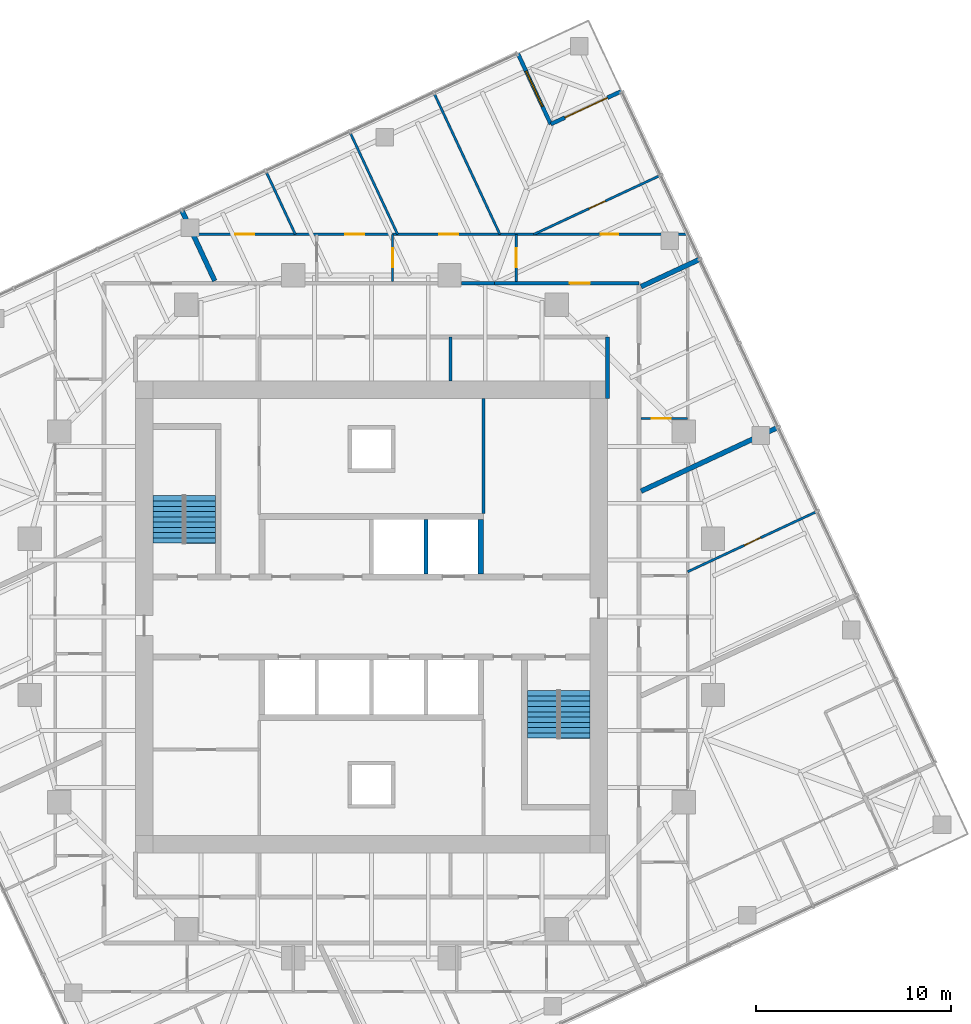
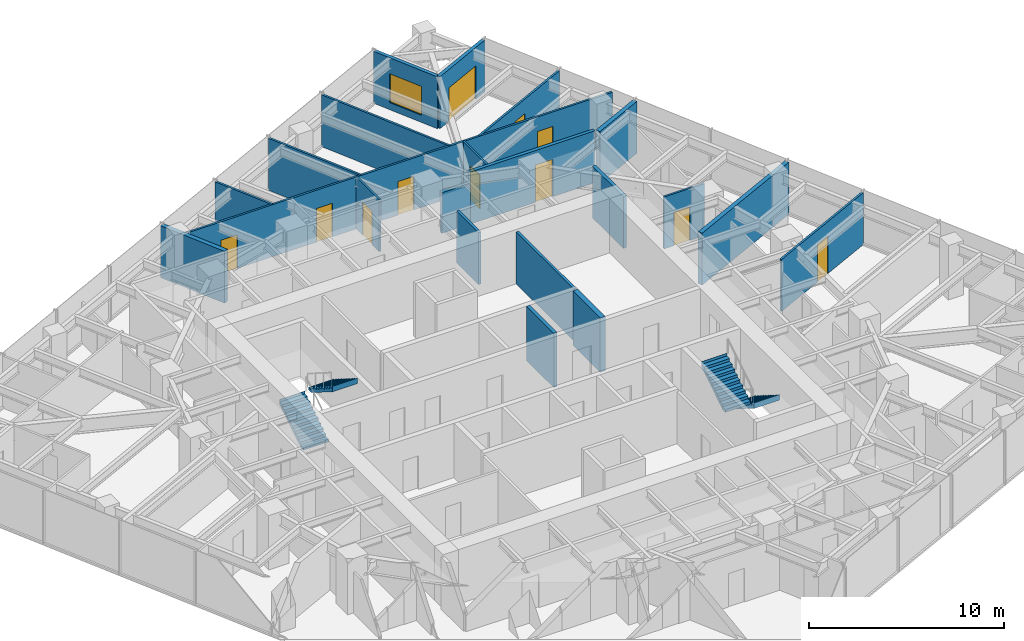
# One storey, part 11 of 12: 21 walls, 11 doors, 4 stair flights, 1 window, 12 openings, 2 elements without a shape of their own.
"""IFC4 building model written with IfcOpenShell, lengths in metres."""

from ifc_helpers import new_model, si_unit, direction, frame, frame_2d, origin, place, context, subcontext, project, spatial, polyline, rectangle, outline, extrude, material, layer, layer_set, type_object, element, fill, aggregate, save


model = new_model("IFC4")

# Units and contexts
model_context = context("Model", 3, precision=1e-05, world=origin(), true_north=direction((0.0, 1.0)))
body_context = subcontext(model_context, "Body", "Model", "MODEL_VIEW")
ifc_project = project(units=[si_unit("LENGTHUNIT", "METRE"), si_unit("AREAUNIT", "SQUARE_METRE"), si_unit("VOLUMEUNIT", "CUBIC_METRE"), si_unit("PLANEANGLEUNIT", "RADIAN"), si_unit("MASSUNIT", "GRAM", prefix="KILO")], contexts=[model_context])

# Site, building, storey
site_placement = place(None, origin())
site = spatial("IfcSite", under=ifc_project, at=site_placement, CompositionType="ELEMENT")
building_placement = place(site_placement, origin())
building = spatial("IfcBuilding", under=site, at=building_placement, Name="Torsade Residences", CompositionType="ELEMENT")
storey_placement = place(building_placement, frame((0.0, 0.0, 189.60009765625)))
storey = spatial("IfcBuildingStorey", under=building, at=storey_placement, Name="L52", CompositionType="ELEMENT", Elevation=189.60009765625)

# Wall
ifc_material_1 = material(Name="Concrete 80 MPa", Category="concrete")
ifc_layer_1 = layer(ifc_material_1, 0.300048828125)
ifc_layer_set_1 = layer_set([ifc_layer_1], Name="Concrete 80 MPa")
wall_type_1 = type_object("IfcWallType", Name="CORE INTERNAL WALL 300", PredefinedType="SHEAR", material=ifc_layer_set_1)
wall_1_placement = place(storey_placement, frame((45.60009765625, 32.199951171875, 0.0), z_axis=(0.0, 0.0, 1.0), x_axis=(0.0, 1.0, 0.0)))
element("IfcWall", 1, at=wall_1_placement, inside=storey, type_object=wall_type_1, Name="Core wall DN4 L52", PredefinedType="SHEAR", context=body_context, shape_type="SweptSolid", body=[
    extrude(rectangle(XDim=2.800048828125, YDim=0.300048828125, at=frame_2d((1.39990234375, 0.0))), origin(), (0.0, 0.0, 1.0), 3.39990234375),
])

# Wall, opening, door
ifc_material_2 = material(Name="Plasterboard on steel stud", Category="steel")
ifc_layer_2 = layer(ifc_material_2, 0.199951171875)
ifc_layer_set_2 = layer_set([ifc_layer_2], Name="Plasterboard on steel stud")
wall_type_2 = type_object("IfcWallType", Name="CORRIDOR WALL 200", PredefinedType="PARTITIONING", material=ifc_layer_set_2)
wall_2_placement = place(storey_placement, frame((53.699951171875, 47.10009765625, 0.0), z_axis=(0.0, 0.0, 1.0), x_axis=(-1.0, 0.0, 0.0)))
wall_2 = element("IfcWall", 2, at=wall_2_placement, inside=storey, type_object=wall_type_2, Name="Corridor wall L52", PredefinedType="PARTITIONING", context=body_context, shape_type="SweptSolid", body=[
    extrude(rectangle(XDim=7.3916015625, YDim=0.199951171875, at=frame_2d((3.69580078125, 0.0))), origin(), (0.0, 0.0, 1.0), 3.25),
])
opening_1_placement = place(wall_2_placement, frame((2.505859375, 0.0, 0.0)))
opening_1 = element("IfcOpeningElement", 3, at=opening_1_placement, cuts=wall_2, Name="Opening D01", PredefinedType="OPENING", context=body_context, shape_type="SweptSolid", body=[
    extrude(rectangle(XDim=1.02001953125, YDim=2.340087890625, at=frame_2d((0.510009765625, 1.169921875))), frame((0.0, 0.10986328125, 0.0), z_axis=(0.0, -1.0, 0.0), x_axis=(1.0, 0.0, 0.0)), (0.0, 0.0, 1.0), 0.219970703125),
])
ifc_material_3 = material(Name="Solid-core timber fire door", Category="wood")
door_type_1 = type_object("IfcDoorType", Name="APARTMENT ENTRY DOOR 1020x2340", OperationType="NOTDEFINED", PredefinedType="DOOR", material=ifc_material_3)
door_1_placement = place(opening_1_placement, origin())
door_1 = element("IfcDoor", 4, at=door_1_placement, inside=storey, type_object=door_type_1, Name="Door Residential corridor to Kitchen and dining", OperationType="SINGLE_SWING_LEFT", OverallHeight=2.340087890625, OverallWidth=1.02001953125, PredefinedType="DOOR", context=body_context, shape_type="SweptSolid", body=[
    extrude(rectangle(XDim=1.02001953125, YDim=2.340087890625, at=frame_2d((0.510009765625, 1.169921875))), frame((0.0, 0.02490234375, 0.0), z_axis=(0.0, -1.0, 0.0), x_axis=(1.0, 0.0, 0.0)), (0.0, 0.0, 1.0), 0.050048828125),
])
fill(opening_1, door_1)

# Walls
wall_3_placement = place(storey_placement, frame((46.308349609375, 47.10009765625, 0.0), z_axis=(0.0, 0.0, 1.0), x_axis=(-1.0, 0.0, 0.0)))
element("IfcWall", 5, at=wall_3_placement, inside=storey, type_object=wall_type_2, Name="Corridor wall L52", PredefinedType="PARTITIONING", context=body_context, shape_type="SweptSolid", body=[
    extrude(rectangle(XDim=1.683349609375, YDim=0.199951171875, at=frame_2d((0.841796875, 0.0))), origin(), (0.0, 0.0, 1.0), 2.5498046875),
])
wall_4_placement = place(storey_placement, frame((52.10009765625, 41.179931640625, 0.0), z_axis=(0.0, 0.0, 1.0), x_axis=(0.0, 1.0, 0.0)))
element("IfcWall", 6, at=wall_4_placement, inside=storey, type_object=wall_type_2, Name="Corridor wall L52", PredefinedType="PARTITIONING", context=body_context, shape_type="SweptSolid", body=[
    extrude(rectangle(XDim=3.170166015625, YDim=0.199951171875, at=frame_2d((1.5849609375, 0.0))), origin(), (0.0, 0.0, 1.0), 3.25),
])
ifc_material_4 = material(Name="Reinforced blockwork", Category="masonry")
ifc_layer_3 = layer(ifc_material_4, 0.199951171875)
ifc_layer_set_3 = layer_set([ifc_layer_3], Name="Reinforced blockwork")
wall_type_3 = type_object("IfcWallType", Name="LIFT SHAFT DIVIDING WALL 200", PredefinedType="SOLIDWALL", material=ifc_layer_set_3)
wall_5_placement = place(storey_placement, frame((42.800048828125, 32.199951171875, 0.0), z_axis=(0.0, 0.0, 1.0), x_axis=(0.0, 1.0, 0.0)))
element("IfcWall", 7, at=wall_5_placement, inside=storey, type_object=wall_type_3, Name="Core wall DN3 L52", PredefinedType="SOLIDWALL", context=body_context, shape_type="SweptSolid", body=[
    extrude(rectangle(XDim=2.800048828125, YDim=0.199951171875, at=frame_2d((1.39990234375, 0.0))), origin(), (0.0, 0.0, 1.0), 3.39990234375),
])

# Wall, opening, door
ifc_material_5 = material(Name="Plasterboard on steel stud", Category="steel")
ifc_layer_4 = layer(ifc_material_5, 0.1201171875)
ifc_layer_set_4 = layer_set([ifc_layer_4], Name="Plasterboard on steel stud")
wall_type_4 = type_object("IfcWallType", Name="PARTITION 120", PredefinedType="PARTITIONING", material=ifc_layer_set_4)
wall_6_placement = place(storey_placement, frame((56.199951171875, 32.313232421875, 0.0), z_axis=(0.0, 0.0, 1.0), x_axis=(0.906306986906, 0.422619977621, 0.0)))
wall_6 = element("IfcWall", 8, at=wall_6_placement, inside=storey, type_object=wall_type_4, Name="Partition L52", PredefinedType="PARTITIONING", context=body_context, shape_type="SweptSolid", body=[
    extrude(rectangle(XDim=7.30029296875, YDim=0.1201171875, at=frame_2d((3.650146484375, 0.0))), origin(), (0.0, 0.0, 1.0), 3.25),
])
opening_2_placement = place(wall_6_placement, frame((3.210205078125, 0.0, 0.0)))
opening_2 = element("IfcOpeningElement", 9, at=opening_2_placement, cuts=wall_6, Name="Opening D02", PredefinedType="OPENING", context=body_context, shape_type="SweptSolid", body=[
    extrude(rectangle(XDim=0.919921875, YDim=2.340087890625, at=frame_2d((0.4599609375, 1.169921875))), frame((0.0, 0.070068359375, 0.0), z_axis=(0.0, -1.0, 0.0), x_axis=(1.0, 0.0, 0.0)), (0.0, 0.0, 1.0), 0.14013671875),
])
ifc_material_6 = material(Name="Hollow-core timber door", Category="wood")
door_type_2 = type_object("IfcDoorType", Name="INTERNAL DOOR 920x2340", OperationType="NOTDEFINED", PredefinedType="DOOR", material=ifc_material_6)
door_2_placement = place(opening_2_placement, origin())
door_2 = element("IfcDoor", 10, at=door_2_placement, inside=storey, type_object=door_type_2, Name="Door Living room to Bedroom 1", OperationType="SINGLE_SWING_LEFT", OverallHeight=2.340087890625, OverallWidth=0.919921875, PredefinedType="DOOR", context=body_context, shape_type="SweptSolid", body=[
    extrude(rectangle(XDim=0.919921875, YDim=2.340087890625, at=frame_2d((0.4599609375, 1.169921875))), frame((0.0, 0.02490234375, 0.0), z_axis=(0.0, -1.0, 0.0), x_axis=(1.0, 0.0, 0.0)), (0.0, 0.0, 1.0), 0.050048828125),
])
fill(opening_2, door_2)

wall_7_placement = place(storey_placement, frame((56.199951171875, 40.166748046875, 0.0), z_axis=(0.0, 0.0, 1.0), x_axis=(-1.0, 0.0, 0.0)))
wall_7 = element("IfcWall", 11, at=wall_7_placement, inside=storey, type_object=wall_type_4, Name="Partition L52", PredefinedType="PARTITIONING", context=body_context, shape_type="SweptSolid", body=[
    extrude(rectangle(XDim=2.39990234375, YDim=0.1201171875, at=frame_2d((1.199951171875, 0.0))), origin(), (0.0, 0.0, 1.0), 3.25),
])
opening_3_placement = place(wall_7_placement, frame((0.8701171875, 0.0, 0.0)))
opening_3 = element("IfcOpeningElement", 12, at=opening_3_placement, cuts=wall_7, Name="Opening D05", PredefinedType="OPENING", context=body_context, shape_type="SweptSolid", body=[
    extrude(rectangle(XDim=0.9599609375, YDim=2.10009765625, at=frame_2d((0.47998046875, 1.050048828125))), frame((0.0, 0.070068359375, 0.0), z_axis=(0.0, -1.0, 0.0), x_axis=(1.0, 0.0, 0.0)), (0.0, 0.0, 1.0), 0.14013671875),
])
ifc_material_7 = material(Name="Hollow-core timber door in a steel cavity frame", Category="steel")
door_type_3 = type_object("IfcDoorType", Name="BATHROOM CAVITY SLIDING DOOR 960", OperationType="SLIDING_TO_LEFT", PredefinedType="DOOR", material=ifc_material_7)
door_3_placement = place(opening_3_placement, origin())
door_3 = element("IfcDoor", 13, at=door_3_placement, inside=storey, type_object=door_type_3, Name="Door Kitchen and dining to Bathroom", OperationType="SLIDING_TO_LEFT", OverallHeight=2.10009765625, OverallWidth=0.9599609375, PredefinedType="DOOR", context=body_context, shape_type="SweptSolid", body=[
    extrude(rectangle(XDim=0.9599609375, YDim=2.10009765625, at=frame_2d((0.47998046875, 1.050048828125))), frame((0.0, 0.02490234375, 0.0), z_axis=(0.0, -1.0, 0.0), x_axis=(1.0, 0.0, 0.0)), (0.0, 0.0, 1.0), 0.050048828125),
])
fill(opening_3, door_3)

wall_8_placement = place(storey_placement, frame((47.418212890625, 47.199951171875, 0.0), z_axis=(0.0, 0.0, 1.0), x_axis=(0.0, 1.0, 0.0)))
wall_8 = element("IfcWall", 14, at=wall_8_placement, inside=storey, type_object=wall_type_4, Name="Partition L52", PredefinedType="PARTITIONING", context=body_context, shape_type="SweptSolid", body=[
    extrude(rectangle(XDim=2.400146484375, YDim=0.1201171875, at=frame_2d((1.2001953125, 0.0))), origin(), (0.0, 0.0, 1.0), 3.25),
])
opening_4_placement = place(wall_8_placement, frame((0.719970703125, 0.0, 0.0)))
opening_4 = element("IfcOpeningElement", 15, at=opening_4_placement, cuts=wall_8, Name="Opening D05", PredefinedType="OPENING", context=body_context, shape_type="SweptSolid", body=[
    extrude(rectangle(XDim=0.9599609375, YDim=2.10009765625, at=frame_2d((0.47998046875, 1.050048828125))), frame((0.0, 0.070068359375, 0.0), z_axis=(0.0, -1.0, 0.0), x_axis=(1.0, 0.0, 0.0)), (0.0, 0.0, 1.0), 0.14013671875),
])
door_4_placement = place(opening_4_placement, origin())
door_4 = element("IfcDoor", 16, at=door_4_placement, inside=storey, type_object=door_type_3, Name="Door Kitchen and dining to Bathroom", OperationType="SLIDING_TO_LEFT", OverallHeight=2.10009765625, OverallWidth=0.9599609375, PredefinedType="DOOR", context=body_context, shape_type="SweptSolid", body=[
    extrude(rectangle(XDim=0.9599609375, YDim=2.10009765625, at=frame_2d((0.47998046875, 1.050048828125))), frame((0.0, 0.02490234375, 0.0), z_axis=(0.0, -1.0, 0.0), x_axis=(1.0, 0.0, 0.0)), (0.0, 0.0, 1.0), 0.050048828125),
])
fill(opening_4, door_4)

# Wall, openings, doors
wall_9_placement = place(storey_placement, frame((30.8603515625, 49.60009765625, 0.0), z_axis=(0.0, 0.0, 1.0), x_axis=(1.0, 0.0, 0.0)))
wall_9 = element("IfcWall", 17, at=wall_9_placement, inside=storey, type_object=wall_type_4, Name="Partition L52", PredefinedType="PARTITIONING", context=body_context, shape_type="SweptSolid", body=[
    extrude(rectangle(XDim=25.33349609375, YDim=0.1201171875, at=frame_2d((12.666748046875, 0.0))), origin(), (0.0, 0.0, 1.0), 3.25),
])
opening_5_placement = place(wall_9_placement, frame((20.87744140625, 0.0, 0.0)))
opening_5 = element("IfcOpeningElement", 18, at=opening_5_placement, cuts=wall_9, Name="Opening D02", PredefinedType="OPENING", context=body_context, shape_type="SweptSolid", body=[
    extrude(rectangle(XDim=0.919921875, YDim=2.340087890625, at=frame_2d((0.4599609375, 1.169921875))), frame((0.0, 0.070068359375, 0.0), z_axis=(0.0, -1.0, 0.0), x_axis=(1.0, 0.0, 0.0)), (0.0, 0.0, 1.0), 0.14013671875),
])
opening_6_placement = place(wall_9_placement, frame((12.62255859375, 0.0, 0.0)))
opening_6 = element("IfcOpeningElement", 19, at=opening_6_placement, cuts=wall_9, Name="Opening D05", PredefinedType="OPENING", context=body_context, shape_type="SweptSolid", body=[
    extrude(rectangle(XDim=0.9599609375, YDim=2.10009765625, at=frame_2d((0.47998046875, 1.050048828125))), frame((0.0, 0.070068359375, 0.0), z_axis=(0.0, -1.0, 0.0), x_axis=(1.0, 0.0, 0.0)), (0.0, 0.0, 1.0), 0.14013671875),
])
opening_7_placement = place(wall_9_placement, frame((7.80224609375, 0.0, 0.0)))
opening_7 = element("IfcOpeningElement", 20, at=opening_7_placement, cuts=wall_9, Name="Opening D05", PredefinedType="OPENING", context=body_context, shape_type="SweptSolid", body=[
    extrude(rectangle(XDim=0.9599609375, YDim=2.10009765625, at=frame_2d((0.47998046875, 1.050048828125))), frame((0.0, 0.070068359375, 0.0), z_axis=(0.0, -1.0, 0.0), x_axis=(1.0, 0.0, 0.0)), (0.0, 0.0, 1.0), 0.14013671875),
])
opening_8_placement = place(wall_9_placement, frame((2.168212890625, 0.0, 0.0)))
opening_8 = element("IfcOpeningElement", 21, at=opening_8_placement, cuts=wall_9, Name="Opening D05", PredefinedType="OPENING", context=body_context, shape_type="SweptSolid", body=[
    extrude(rectangle(XDim=0.9599609375, YDim=2.10009765625, at=frame_2d((0.47998046875, 1.050048828125))), frame((0.0, 0.070068359375, 0.0), z_axis=(0.0, -1.0, 0.0), x_axis=(1.0, 0.0, 0.0)), (0.0, 0.0, 1.0), 0.14013671875),
])
door_5_placement = place(opening_6_placement, origin())
door_5 = element("IfcDoor", 22, at=door_5_placement, inside=storey, type_object=door_type_3, Name="Door Bathroom to Bedroom 1", OperationType="SLIDING_TO_LEFT", OverallHeight=2.10009765625, OverallWidth=0.9599609375, PredefinedType="DOOR", context=body_context, shape_type="SweptSolid", body=[
    extrude(rectangle(XDim=0.9599609375, YDim=2.10009765625, at=frame_2d((0.47998046875, 1.050048828125))), frame((0.0, 0.02490234375, 0.0), z_axis=(0.0, -1.0, 0.0), x_axis=(1.0, 0.0, 0.0)), (0.0, 0.0, 1.0), 0.050048828125),
])
fill(opening_6, door_5)
door_6_placement = place(opening_7_placement, origin())
door_6 = element("IfcDoor", 23, at=door_6_placement, inside=storey, type_object=door_type_3, Name="Door Laundry to Bedroom 2", OperationType="SLIDING_TO_LEFT", OverallHeight=2.10009765625, OverallWidth=0.9599609375, PredefinedType="DOOR", context=body_context, shape_type="SweptSolid", body=[
    extrude(rectangle(XDim=0.9599609375, YDim=2.10009765625, at=frame_2d((0.47998046875, 1.050048828125))), frame((0.0, 0.02490234375, 0.0), z_axis=(0.0, -1.0, 0.0), x_axis=(1.0, 0.0, 0.0)), (0.0, 0.0, 1.0), 0.050048828125),
])
fill(opening_7, door_6)
door_7_placement = place(opening_8_placement, origin())
door_7 = element("IfcDoor", 24, at=door_7_placement, inside=storey, type_object=door_type_3, Name="Door Ensuite to Study", OperationType="SLIDING_TO_LEFT", OverallHeight=2.10009765625, OverallWidth=0.9599609375, PredefinedType="DOOR", context=body_context, shape_type="SweptSolid", body=[
    extrude(rectangle(XDim=0.9599609375, YDim=2.10009765625, at=frame_2d((0.47998046875, 1.050048828125))), frame((0.0, 0.02490234375, 0.0), z_axis=(0.0, -1.0, 0.0), x_axis=(1.0, 0.0, 0.0)), (0.0, 0.0, 1.0), 0.050048828125),
])
fill(opening_8, door_7)
door_8_placement = place(opening_5_placement, origin())
door_8 = element("IfcDoor", 25, at=door_8_placement, inside=storey, type_object=door_type_2, Name="Door Kitchen and dining to Bedroom 3", OperationType="SINGLE_SWING_LEFT", OverallHeight=2.340087890625, OverallWidth=0.919921875, PredefinedType="DOOR", context=body_context, shape_type="SweptSolid", body=[
    extrude(rectangle(XDim=0.919921875, YDim=2.340087890625, at=frame_2d((0.4599609375, 1.169921875))), frame((0.0, 0.02490234375, 0.0), z_axis=(0.0, -1.0, 0.0), x_axis=(1.0, 0.0, 0.0)), (0.0, 0.0, 1.0), 0.050048828125),
])
fill(opening_5, door_8)

# Wall, opening, door
wall_10_placement = place(storey_placement, frame((41.08154296875, 47.199951171875, 0.0), z_axis=(0.0, 0.0, 1.0), x_axis=(0.0, 1.0, 0.0)))
wall_10 = element("IfcWall", 26, at=wall_10_placement, inside=storey, type_object=wall_type_4, Name="Partition L52", PredefinedType="PARTITIONING", context=body_context, shape_type="SweptSolid", body=[
    extrude(rectangle(XDim=2.400146484375, YDim=0.1201171875, at=frame_2d((1.2001953125, 0.0))), origin(), (0.0, 0.0, 1.0), 3.25),
])
opening_9_placement = place(wall_10_placement, frame((0.719970703125, 0.0, 0.0)))
opening_9 = element("IfcOpeningElement", 27, at=opening_9_placement, cuts=wall_10, Name="Opening D05", PredefinedType="OPENING", context=body_context, shape_type="SweptSolid", body=[
    extrude(rectangle(XDim=0.9599609375, YDim=2.10009765625, at=frame_2d((0.47998046875, 1.050048828125))), frame((0.0, 0.070068359375, 0.0), z_axis=(0.0, -1.0, 0.0), x_axis=(1.0, 0.0, 0.0)), (0.0, 0.0, 1.0), 0.14013671875),
])
door_9_placement = place(opening_9_placement, origin())
door_9 = element("IfcDoor", 28, at=door_9_placement, inside=storey, type_object=door_type_3, Name="Door Bathroom to Laundry", OperationType="SLIDING_TO_LEFT", OverallHeight=2.10009765625, OverallWidth=0.9599609375, PredefinedType="DOOR", context=body_context, shape_type="SweptSolid", body=[
    extrude(rectangle(XDim=0.9599609375, YDim=2.10009765625, at=frame_2d((0.47998046875, 1.050048828125))), frame((0.0, 0.02490234375, 0.0), z_axis=(0.0, -1.0, 0.0), x_axis=(1.0, 0.0, 0.0)), (0.0, 0.0, 1.0), 0.050048828125),
])
fill(opening_9, door_9)

# Wall
wall_11_placement = place(storey_placement, frame((46.58349609375, 49.60009765625, 0.0), z_axis=(0.0, 0.0, 1.0), x_axis=(-0.422640876946, 0.90629724105, 0.0)))
element("IfcWall", 29, at=wall_11_placement, inside=storey, type_object=wall_type_4, Name="Partition L52", PredefinedType="PARTITIONING", context=body_context, shape_type="SweptSolid", body=[
    extrude(rectangle(XDim=7.978515625, YDim=0.1201171875, at=frame_2d((3.9892578125, 0.0))), origin(), (0.0, 0.0, 1.0), 3.25),
])

# Wall, opening, door
wall_12_placement = place(storey_placement, frame((54.78662109375, 52.6181640625, 0.0), z_axis=(0.0, 0.0, 1.0), x_axis=(-0.906317589158, -0.422597240388, 0.0)))
wall_12 = element("IfcWall", 30, at=wall_12_placement, inside=storey, type_object=wall_type_4, Name="Partition L52", PredefinedType="PARTITIONING", context=body_context, shape_type="SweptSolid", body=[
    extrude(rectangle(XDim=7.1416015625, YDim=0.1201171875, at=frame_2d((3.57080078125, 0.0))), origin(), (0.0, 0.0, 1.0), 3.25),
])
opening_10_placement = place(wall_12_placement, frame((3.0908203125, 0.0, 0.0)))
opening_10 = element("IfcOpeningElement", 31, at=opening_10_placement, cuts=wall_12, Name="Opening D02", PredefinedType="OPENING", context=body_context, shape_type="SweptSolid", body=[
    extrude(rectangle(XDim=0.919921875, YDim=2.340087890625, at=frame_2d((0.4599609375, 1.169921875))), frame((0.0, 0.070068359375, 0.0), z_axis=(0.0, -1.0, 0.0), x_axis=(1.0, 0.0, 0.0)), (0.0, 0.0, 1.0), 0.14013671875),
])
door_10_placement = place(opening_10_placement, origin())
door_10 = element("IfcDoor", 32, at=door_10_placement, inside=storey, type_object=door_type_2, Name="Door Bedroom 3 to Living room", OperationType="SINGLE_SWING_RIGHT", OverallHeight=2.340087890625, OverallWidth=0.919921875, PredefinedType="DOOR", context=body_context, shape_type="SweptSolid", body=[
    extrude(rectangle(XDim=0.919921875, YDim=2.340087890625, at=frame_2d((0.4599609375, 1.169921875))), frame((0.0, 0.02490234375, 0.0), z_axis=(0.0, -1.0, 0.0), x_axis=(1.0, 0.0, 0.0)), (0.0, 0.0, 1.0), 0.050048828125),
])
fill(opening_10, door_10)

# Walls
wall_13_placement = place(storey_placement, frame((41.342529296875, 49.60009765625, 0.0), z_axis=(0.0, 0.0, 1.0), x_axis=(-0.422648925879, 0.906293487483, 0.0)))
element("IfcWall", 33, at=wall_13_placement, inside=storey, type_object=wall_type_4, Name="Partition L52", PredefinedType="PARTITIONING", context=body_context, shape_type="SweptSolid", body=[
    extrude(rectangle(XDim=5.763671875, YDim=0.1201171875, at=frame_2d((2.8818359375, 0.0))), origin(), (0.0, 0.0, 1.0), 3.25),
])
wall_14_placement = place(storey_placement, frame((36.101318359375, 49.60009765625, 0.0), z_axis=(0.0, 0.0, 1.0), x_axis=(-0.42263686638, 0.906299111318, 0.0)))
element("IfcWall", 34, at=wall_14_placement, inside=storey, type_object=wall_type_4, Name="Partition L52", PredefinedType="PARTITIONING", context=body_context, shape_type="SweptSolid", body=[
    extrude(rectangle(XDim=3.548583984375, YDim=0.1201171875, at=frame_2d((1.7744140625, 0.0))), origin(), (0.0, 0.0, 1.0), 3.25),
])
ifc_material_8 = material(Name="Masonry-lined stud party wall", Category="masonry")
ifc_layer_5 = layer(ifc_material_8, 0.25)
ifc_layer_set_5 = layer_set([ifc_layer_5], Name="Masonry-lined stud party wall")
wall_type_5 = type_object("IfcWallType", Name="PARTY WALL 250", PredefinedType="PARTITIONING", material=ifc_layer_set_5)
wall_15_placement = place(storey_placement, frame((60.844970703125, 39.72021484375, 0.0), z_axis=(0.0, 0.0, 1.0), x_axis=(-0.906308569177, -0.422616584432, 0.0)))
element("IfcWall", 35, at=wall_15_placement, inside=storey, type_object=wall_type_5, Name="Party wall L52", PredefinedType="PARTITIONING", context=body_context, shape_type="SweptSolid", body=[
    extrude(rectangle(XDim=7.7548828125, YDim=0.25, at=frame_2d((3.87744140625, 0.0))), origin(), (0.0, 0.0, 1.0), 3.25),
])
wall_16_placement = place(storey_placement, frame((30.27978515625, 50.844970703125, 0.0), z_axis=(0.0, 0.0, 1.0), x_axis=(0.422605017068, -0.906313963011, 0.0)))
element("IfcWall", 36, at=wall_16_placement, inside=storey, type_object=wall_type_5, Name="Party wall L52", PredefinedType="PARTITIONING", context=body_context, shape_type="SweptSolid", body=[
    extrude(rectangle(XDim=4.00341796875, YDim=0.25, at=frame_2d((2.001708984375, 0.0))), origin(), (0.0, 0.0, 1.0), 3.25),
])
wall_17_placement = place(storey_placement, frame((56.830322265625, 48.330078125, 0.0), z_axis=(0.0, 0.0, 1.0), x_axis=(-0.906310647924, -0.422612126495, 0.0)))
element("IfcWall", 37, at=wall_17_placement, inside=storey, type_object=wall_type_5, Name="Party wall L52", PredefinedType="PARTITIONING", context=body_context, shape_type="SweptSolid", body=[
    extrude(rectangle(XDim=3.3251953125, YDim=0.25, at=frame_2d((1.66259765625, 0.0))), origin(), (0.0, 0.0, 1.0), 3.25),
])
ifc_material_9 = material(Name="Reinforced blockwork", Category="masonry")
ifc_layer_6 = layer(ifc_material_9, 0.14990234375)
ifc_layer_set_6 = layer_set([ifc_layer_6], Name="Reinforced blockwork")
wall_type_6 = type_object("IfcWallType", Name="SERVICE ROOM WALL 150", PredefinedType="SOLIDWALL", material=ifc_layer_set_6)
wall_18_placement = place(storey_placement, frame((45.75, 41.199951171875, 0.0), z_axis=(0.0, 0.0, 1.0), x_axis=(0.0, -1.0, 0.0)))
element("IfcWall", 38, at=wall_18_placement, inside=storey, type_object=wall_type_6, Name="Service room wall L52", PredefinedType="SOLIDWALL", context=body_context, shape_type="SweptSolid", body=[
    extrude(rectangle(XDim=5.89990234375, YDim=0.14990234375, at=frame_2d((2.949951171875, 0.0))), origin(), (0.0, 0.0, 1.0), 3.25),
])
wall_19_placement = place(storey_placement, frame((44.04150390625, 42.10009765625, 0.0), z_axis=(0.0, 0.0, 1.0), x_axis=(0.0, 1.0, 0.0)))
element("IfcWall", 39, at=wall_19_placement, inside=storey, type_object=wall_type_6, Name="Service room wall L52", PredefinedType="SOLIDWALL", context=body_context, shape_type="SweptSolid", body=[
    extrude(rectangle(XDim=2.25, YDim=0.14990234375, at=frame_2d((1.125, 0.0))), origin(), (0.0, 0.0, 1.0), 3.25),
])

# Wall, opening, door
ifc_material_10 = material(Name="Stone-faced precast concrete 40 MPa panel", Category="masonry")
ifc_layer_7 = layer(ifc_material_10, 0.199951171875)
ifc_layer_set_7 = layer_set([ifc_layer_7], Name="Stone-faced precast concrete 40 MPa panel")
wall_type_7 = type_object("IfcWallType", Name="TERRACE WALL 200", PredefinedType="SOLIDWALL", material=ifc_layer_set_7)
wall_20_placement = place(storey_placement, frame((52.8154296875, 56.940185546875, 0.0), z_axis=(0.0, 0.0, 1.0), x_axis=(-0.906289140828, -0.422658246362, 0.0)))
wall_20 = element("IfcWall", 40, at=wall_20_placement, inside=storey, type_object=wall_type_7, Name="Terrace wall L52 5", PredefinedType="SOLIDWALL", context=body_context, shape_type="SweptSolid", body=[
    extrude(rectangle(XDim=4.0, YDim=0.199951171875, at=frame_2d((2.0, 0.0))), origin(), (0.0, 0.0, 1.0), 3.25),
])
opening_11_placement = place(wall_20_placement, frame((0.800048828125, 0.0, 0.0)))
opening_11 = element("IfcOpeningElement", 41, at=opening_11_placement, cuts=wall_20, Name="Opening D10A", PredefinedType="OPENING", context=body_context, shape_type="SweptSolid", body=[
    extrude(rectangle(XDim=2.39990234375, YDim=2.10009765625, at=frame_2d((1.199951171875, 1.050048828125))), frame((0.0, 0.10986328125, 0.0), z_axis=(0.0, -1.0, 0.0), x_axis=(1.0, 0.0, 0.0)), (0.0, 0.0, 1.0), 0.219970703125),
])
ifc_material_11 = material(Name="Aluminium-framed glass door", Category="aluminium")
door_type_4 = type_object("IfcDoorType", Name="TERRACE SLIDING DOOR 2400x2100", OperationType="SLIDING_TO_LEFT", PredefinedType="DOOR", material=ifc_material_11)
door_11_placement = place(opening_11_placement, origin())
door_11 = element("IfcDoor", 42, at=door_11_placement, inside=storey, type_object=door_type_4, Name="Terrace door L52 5", OperationType="SLIDING_TO_LEFT", OverallHeight=2.10009765625, OverallWidth=2.39990234375, PredefinedType="DOOR", context=body_context, shape_type="SweptSolid", body=[
    extrude(rectangle(XDim=2.39990234375, YDim=2.10009765625, at=frame_2d((1.199951171875, 1.050048828125))), frame((0.0, 0.02490234375, 0.0), z_axis=(0.0, -1.0, 0.0), x_axis=(1.0, 0.0, 0.0)), (0.0, 0.0, 1.0), 0.050048828125),
])
fill(opening_11, door_11)

# Wall, opening, window
wall_21_placement = place(storey_placement, frame((49.190185546875, 55.24951171875, 0.0), z_axis=(0.0, 0.0, 1.0), x_axis=(-0.422658246362, 0.906289140828, 0.0)))
wall_21 = element("IfcWall", 43, at=wall_21_placement, inside=storey, type_object=wall_type_7, Name="Terrace wall L52 6", PredefinedType="SOLIDWALL", context=body_context, shape_type="SweptSolid", body=[
    extrude(rectangle(XDim=4.0, YDim=0.199951171875, at=frame_2d((2.0, 0.0))), origin(), (0.0, 0.0, 1.0), 3.25),
])
opening_12_placement = place(wall_21_placement, frame((1.0, 0.0, 0.449951171875)))
opening_12 = element("IfcOpeningElement", 44, at=opening_12_placement, cuts=wall_21, Name="Opening W1B", PredefinedType="OPENING", context=body_context, shape_type="SweptSolid", body=[
    extrude(rectangle(XDim=2.0, YDim=1.800048828125, at=frame_2d((1.0, 0.89990234375))), frame((0.0, 0.10986328125, 0.0), z_axis=(0.0, -1.0, 0.0), x_axis=(1.0, 0.0, 0.0)), (0.0, 0.0, 1.0), 0.219970703125),
])
ifc_material_12 = material(Name="Aluminium-framed glass window", Category="aluminium")
window_type = type_object("IfcWindowType", Name="TERRACE WINDOW 2000x1800", PartitioningType="SINGLE_PANEL", PredefinedType="WINDOW", material=ifc_material_12)
window_placement = place(opening_12_placement, origin())
window = element("IfcWindow", 45, at=window_placement, inside=storey, type_object=window_type, Name="Terrace window L52 6", OverallHeight=1.800048828125, OverallWidth=2.0, PartitioningType="SINGLE_PANEL", PredefinedType="WINDOW", context=body_context, shape_type="SweptSolid", body=[
    extrude(rectangle(XDim=2.0, YDim=1.800048828125, at=frame_2d((1.0, 0.89990234375))), frame((0.0, 0.030029296875, 0.0), z_axis=(0.0, -1.0, 0.0), x_axis=(1.0, 0.0, 0.0)), (0.0, 0.0, 1.0), 0.06005859375),
])
fill(opening_12, window)

# Stair, stair flights
ifc_material_13 = material(Name="Precast concrete 40 MPa", Category="concrete")
stair_type = type_object("IfcStairType", Name="HALF-TURN FIRE STAIR 1500x3400", PredefinedType="HALF_TURN_STAIR", material=ifc_material_13)
stair_1_placement = place(storey_placement, origin())
stair_1 = element("IfcStair", 46, at=stair_1_placement, inside=storey, type_object=stair_type, Name="Stair ST1 L52", PredefinedType="HALF_TURN_STAIR")
ifc_material_14 = material(Name="Precast concrete 40 MPa", Category="concrete")
stair_flight_type = type_object("IfcStairFlightType", Name="PRECAST STAIR FLIGHT 1500x1700", PredefinedType="STRAIGHT", material=ifc_material_14)
stair_flight_1_placement = place(storey_placement, frame((29.550048828125, 33.780029296875, 0.0), z_axis=(0.0, 0.0, 1.0), x_axis=(0.0, 1.0, 0.0)))
stair_flight_1 = element("IfcStairFlight", 47, at=stair_flight_1_placement, type_object=stair_flight_type, Name="ST1 flight 1", NumberOfRisers=10, NumberOfTreads=9, PredefinedType="STRAIGHT", RiserHeight=0.17, TreadLength=0.27, context=body_context, shape_type="SweptSolid", body=[
    extrude(outline(polyline([(0.0, 0.0), (0.0, 0.169921875), (0.27001953125, 0.169921875), (0.27001953125, 0.340087890625), (0.5400390625, 0.340087890625), (0.5400390625, 0.510009765625), (0.81005859375, 0.510009765625), (0.81005859375, 0.679931640625), (1.080078125, 0.679931640625), (1.080078125, 0.85009765625), (1.35009765625, 0.85009765625), (1.35009765625, 1.02001953125), (1.6201171875, 1.02001953125), (1.6201171875, 1.18994140625), (1.889892578125, 1.18994140625), (1.889892578125, 1.360107421875), (2.159912109375, 1.360107421875), (2.159912109375, 1.530029296875), (2.429931640625, 1.530029296875), (2.429931640625, 1.699951171875), (2.43994140625, 1.699951171875), (2.43994140625, 1.352783203125), (2.429931640625, 1.352783203125), (0.28125, 0.0), (0.0, 0.0)])), frame((0.0, 0.75, 0.0), z_axis=(0.0, -1.0, 0.0), x_axis=(1.0, 0.0, 0.0)), (0.0, 0.0, 1.0), 1.5),
])
stair_flight_2_placement = place(storey_placement, frame((31.25, 36.2099609375, 1.699951171875), z_axis=(0.0, 0.0, 1.0), x_axis=(0.0, -1.0, 0.0)))
stair_flight_2 = element("IfcStairFlight", 48, at=stair_flight_2_placement, type_object=stair_flight_type, Name="ST1 flight 2", NumberOfRisers=10, NumberOfTreads=9, PredefinedType="STRAIGHT", RiserHeight=0.17, TreadLength=0.27, context=body_context, shape_type="SweptSolid", body=[
    extrude(outline(polyline([(0.0, 0.0), (0.0, 0.169921875), (0.27001953125, 0.169921875), (0.27001953125, 0.340087890625), (0.5400390625, 0.340087890625), (0.5400390625, 0.510009765625), (0.81005859375, 0.510009765625), (0.81005859375, 0.679931640625), (1.080078125, 0.679931640625), (1.080078125, 0.85009765625), (1.35009765625, 0.85009765625), (1.35009765625, 1.02001953125), (1.6201171875, 1.02001953125), (1.6201171875, 1.18994140625), (1.889892578125, 1.18994140625), (1.889892578125, 1.360107421875), (2.159912109375, 1.360107421875), (2.159912109375, 1.530029296875), (2.429931640625, 1.530029296875), (2.429931640625, 1.699951171875), (2.43994140625, 1.699951171875), (2.43994140625, 1.352783203125), (2.429931640625, 1.352783203125), (0.28125, 0.0), (0.0, 0.0)])), frame((0.0, 0.75, 0.0), z_axis=(0.0, -1.0, 0.0), x_axis=(1.0, 0.0, 0.0)), (0.0, 0.0, 1.0), 1.5),
])
aggregate(stair_1, [stair_flight_1, stair_flight_2])

stair_2_placement = place(storey_placement, origin())
stair_2 = element("IfcStair", 49, at=stair_2_placement, inside=storey, type_object=stair_type, Name="Stair ST2 L52", PredefinedType="HALF_TURN_STAIR")
stair_flight_3_placement = place(storey_placement, frame((50.449951171875, 26.219970703125, 0.0), z_axis=(0.0, 0.0, 1.0), x_axis=(0.0, -1.0, 0.0)))
stair_flight_3 = element("IfcStairFlight", 50, at=stair_flight_3_placement, type_object=stair_flight_type, Name="ST2 flight 1", NumberOfRisers=10, NumberOfTreads=9, PredefinedType="STRAIGHT", RiserHeight=0.17, TreadLength=0.27, context=body_context, shape_type="SweptSolid", body=[
    extrude(outline(polyline([(0.0, 0.0), (0.0, 0.169921875), (0.27001953125, 0.169921875), (0.27001953125, 0.340087890625), (0.5400390625, 0.340087890625), (0.5400390625, 0.510009765625), (0.81005859375, 0.510009765625), (0.81005859375, 0.679931640625), (1.080078125, 0.679931640625), (1.080078125, 0.85009765625), (1.35009765625, 0.85009765625), (1.35009765625, 1.02001953125), (1.6201171875, 1.02001953125), (1.6201171875, 1.18994140625), (1.889892578125, 1.18994140625), (1.889892578125, 1.360107421875), (2.159912109375, 1.360107421875), (2.159912109375, 1.530029296875), (2.429931640625, 1.530029296875), (2.429931640625, 1.699951171875), (2.43994140625, 1.699951171875), (2.43994140625, 1.352783203125), (2.429931640625, 1.352783203125), (0.28125, 0.0), (0.0, 0.0)])), frame((0.0, 0.75, 0.0), z_axis=(0.0, -1.0, 0.0), x_axis=(1.0, 0.0, 0.0)), (0.0, 0.0, 1.0), 1.5),
])
stair_flight_4_placement = place(storey_placement, frame((48.75, 23.7900390625, 1.699951171875), z_axis=(0.0, 0.0, 1.0), x_axis=(0.0, 1.0, 0.0)))
stair_flight_4 = element("IfcStairFlight", 51, at=stair_flight_4_placement, type_object=stair_flight_type, Name="ST2 flight 2", NumberOfRisers=10, NumberOfTreads=9, PredefinedType="STRAIGHT", RiserHeight=0.17, TreadLength=0.27, context=body_context, shape_type="SweptSolid", body=[
    extrude(outline(polyline([(0.0, 0.0), (0.0, 0.169921875), (0.27001953125, 0.169921875), (0.27001953125, 0.340087890625), (0.5400390625, 0.340087890625), (0.5400390625, 0.510009765625), (0.81005859375, 0.510009765625), (0.81005859375, 0.679931640625), (1.080078125, 0.679931640625), (1.080078125, 0.85009765625), (1.35009765625, 0.85009765625), (1.35009765625, 1.02001953125), (1.6201171875, 1.02001953125), (1.6201171875, 1.18994140625), (1.889892578125, 1.18994140625), (1.889892578125, 1.360107421875), (2.159912109375, 1.360107421875), (2.159912109375, 1.530029296875), (2.429931640625, 1.530029296875), (2.429931640625, 1.699951171875), (2.43994140625, 1.699951171875), (2.43994140625, 1.352783203125), (2.429931640625, 1.352783203125), (0.28125, 0.0), (0.0, 0.0)])), frame((0.0, 0.75, 0.0), z_axis=(0.0, -1.0, 0.0), x_axis=(1.0, 0.0, 0.0)), (0.0, 0.0, 1.0), 1.5),
])
aggregate(stair_2, [stair_flight_3, stair_flight_4])

save(model, "model.ifc")
